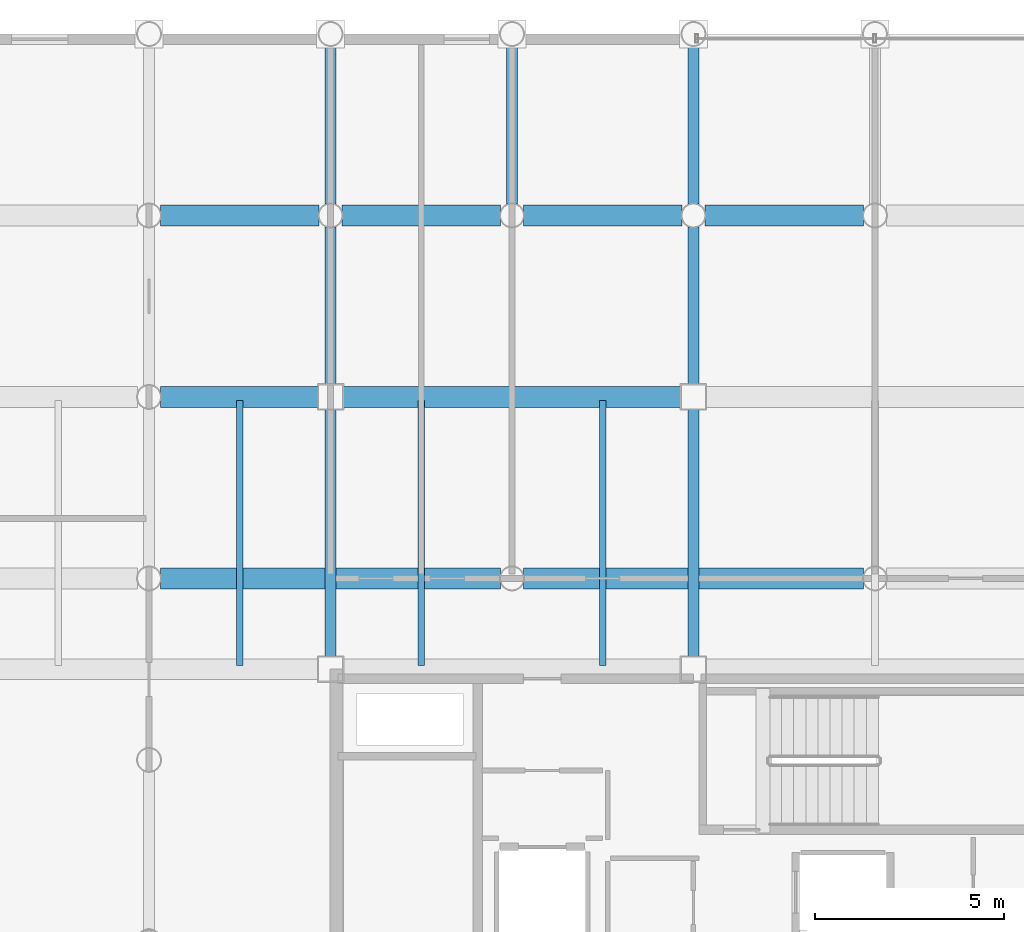
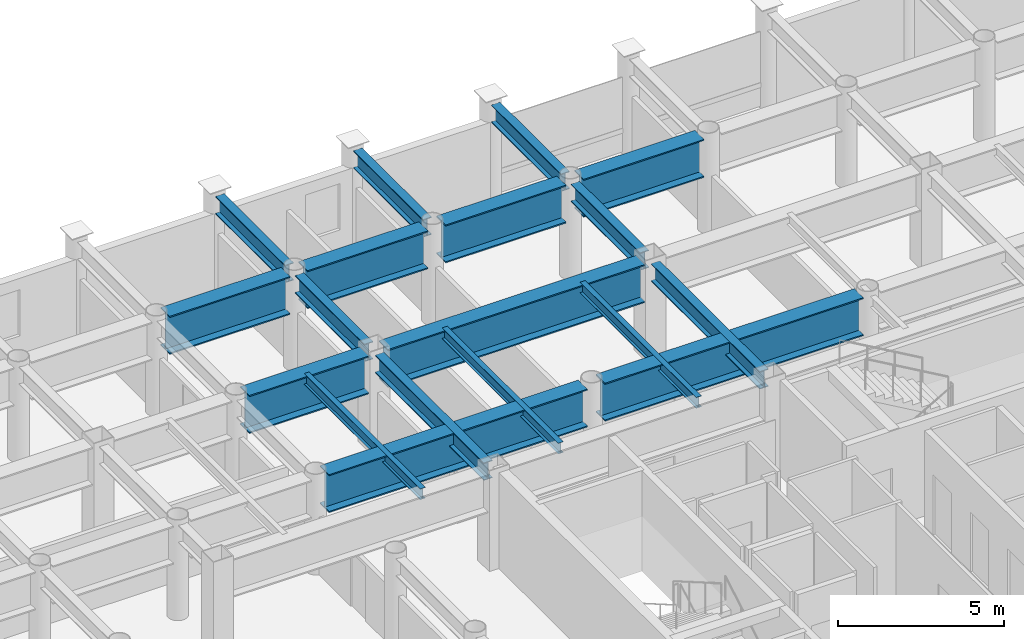
# One storey, part 13 of 24: 18 beams.
"""IFC4 building model written with IfcOpenShell, lengths in metres."""

from ifc_helpers import new_model, si_unit, direction, frame, origin, origin_2d, place, context, subcontext, project, spatial, i_section, extrude, material, material_profile, profile_set, type_object, element, save


model = new_model("IFC4")

# Units and contexts
model_context = context("Model", 3, precision=1e-05, world=origin(), true_north=direction((0.0, 1.0)))
body_context = subcontext(model_context, "Body", "Model", "MODEL_VIEW")
ifc_project = project(units=[si_unit("LENGTHUNIT", "METRE"), si_unit("AREAUNIT", "SQUARE_METRE"), si_unit("VOLUMEUNIT", "CUBIC_METRE"), si_unit("PLANEANGLEUNIT", "RADIAN"), si_unit("MASSUNIT", "GRAM", prefix="KILO")], contexts=[model_context])

# Site, building, storey
site_placement = place(None, origin())
site = spatial("IfcSite", under=ifc_project, at=site_placement, CompositionType="ELEMENT")
building_placement = place(site_placement, origin())
building = spatial("IfcBuilding", under=site, at=building_placement, Name="Kallvorn Hotel Tower", CompositionType="ELEMENT")
storey_placement = place(building_placement, frame((0.0, 0.0, 150.699951171875)))
storey = spatial("IfcBuildingStorey", under=building, at=storey_placement, Name="L37", CompositionType="ELEMENT", Elevation=150.699951171875)

# Beams
ifc_material_1 = material(Name="Structural steel S355JR", Category="steel")
ifc_material_profile_1 = material_profile(ifc_material_1, i_section(OverallWidth=0.300048828125, OverallDepth=0.64990234375, WebThickness=0.01611328125, FlangeThickness=0.031005859375, at=origin_2d()), Name="HE 650 B")
ifc_profile_set_1 = profile_set([ifc_material_profile_1], Name="Structural steel S355JR")
beam_type_1 = type_object("IfcBeamType", Name="BM_HE650B", PredefinedType="BEAM", material=ifc_profile_set_1)
beam_1_placement = place(storey_placement, frame((-14.39990234375, 7.52490234375, 3.195068359375), z_axis=(0.0, 1.0, 0.0), x_axis=(-1.0, 0.0, 0.0)))
element("IfcBeam", 1, at=beam_1_placement, inside=storey, type_object=beam_type_1, Name="L38 Primary Y-Girder 113", PredefinedType="BEAM", context=body_context, shape_type="SweptSolid", body=[
    extrude(i_section(OverallWidth=0.300048828125, OverallDepth=0.64990234375, WebThickness=0.01611328125, FlangeThickness=0.031005859375, at=origin_2d()), origin(), (0.0, 0.0, 1.0), 6.550048828125),
])
beam_2_placement = place(storey_placement, frame((-14.39990234375, 14.72509765625, 3.195068359375), z_axis=(0.0, 1.0, 0.0), x_axis=(-1.0, 0.0, 0.0)))
element("IfcBeam", 2, at=beam_2_placement, inside=storey, type_object=beam_type_1, Name="L38 Primary Y-Girder 114", PredefinedType="BEAM", context=body_context, shape_type="SweptSolid", body=[
    extrude(i_section(OverallWidth=0.300048828125, OverallDepth=0.64990234375, WebThickness=0.01611328125, FlangeThickness=0.031005859375, at=origin_2d()), origin(), (0.0, 0.0, 1.0), 4.169921875),
])
for number, where, z_axis, x_axis, name in (
    (3, (-14.39990234375, 19.5048828125, 3.195068359375), (0.0, 1.0, 0.0), (-1.0, 0.0, 0.0), "L38 Primary Y-Girder 115"),
    (4, (-9.60009765625, 19.5048828125, 3.195068359375), (0.0, 1.0, 0.0), (-1.0, 0.0, 0.0), "L38 Primary Y-Girder 118"),
):
    element("IfcBeam", number, at=place(storey_placement, frame(where, z_axis=z_axis, x_axis=x_axis)), inside=storey, type_object=beam_type_1, Name=name, PredefinedType="BEAM", context=body_context, shape_type="SweptSolid", body=[
        extrude(i_section(OverallWidth=0.300048828125, OverallDepth=0.64990234375, WebThickness=0.01611328125, FlangeThickness=0.031005859375, at=origin_2d()), origin(), (0.0, 0.0, 1.0), 4.190185546875),
    ])
beam_3_placement = place(storey_placement, frame((-4.800048828125, 7.52490234375, 3.195068359375), z_axis=(0.0, 1.0, 0.0), x_axis=(-1.0, 0.0, 0.0)))
element("IfcBeam", 5, at=beam_3_placement, inside=storey, type_object=beam_type_1, Name="L38 Primary Y-Girder 121", PredefinedType="BEAM", context=body_context, shape_type="SweptSolid", body=[
    extrude(i_section(OverallWidth=0.300048828125, OverallDepth=0.64990234375, WebThickness=0.01611328125, FlangeThickness=0.031005859375, at=origin_2d()), origin(), (0.0, 0.0, 1.0), 6.550048828125),
])
beam_4_placement = place(storey_placement, frame((-4.800048828125, 14.72509765625, 3.195068359375), z_axis=(0.0, 1.0, 0.0), x_axis=(-1.0, 0.0, 0.0)))
element("IfcBeam", 6, at=beam_4_placement, inside=storey, type_object=beam_type_1, Name="L38 Primary Y-Girder 122", PredefinedType="BEAM", context=body_context, shape_type="SweptSolid", body=[
    extrude(i_section(OverallWidth=0.300048828125, OverallDepth=0.64990234375, WebThickness=0.01611328125, FlangeThickness=0.031005859375, at=origin_2d()), origin(), (0.0, 0.0, 1.0), 4.169921875),
])
beam_5_placement = place(storey_placement, frame((-4.800048828125, 19.5048828125, 3.195068359375), z_axis=(0.0, 1.0, 0.0), x_axis=(-1.0, 0.0, 0.0)))
element("IfcBeam", 7, at=beam_5_placement, inside=storey, type_object=beam_type_1, Name="L38 Primary Y-Girder 123", PredefinedType="BEAM", context=body_context, shape_type="SweptSolid", body=[
    extrude(i_section(OverallWidth=0.300048828125, OverallDepth=0.64990234375, WebThickness=0.01611328125, FlangeThickness=0.031005859375, at=origin_2d()), origin(), (0.0, 0.0, 1.0), 4.190185546875),
])
ifc_material_2 = material(Name="Structural steel S355JR", Category="steel")
ifc_material_profile_2 = material_profile(ifc_material_2, i_section(OverallWidth=0.179931640625, OverallDepth=0.39990234375, WebThickness=0.008544921875, FlangeThickness=0.013427734375, at=origin_2d()), Name="IPE 400")
ifc_profile_set_2 = profile_set([ifc_material_profile_2], Name="Structural steel S355JR")
beam_type_2 = type_object("IfcBeamType", Name="BM_IPE400", PredefinedType="JOIST", material=ifc_profile_set_2)
for number, where, z_axis, x_axis, name in (
    (8, (-16.800048828125, 7.300048828125, 3.320068359375), (0.0, 1.0, 0.0), (-1.0, 0.0, 0.0), "L38 Secondary Composite Joist 208"),
    (9, (-12.0, 7.300048828125, 3.320068359375), (0.0, 1.0, 0.0), (-1.0, 0.0, 0.0), "L38 Secondary Composite Joist 210"),
    (10, (-7.199951171875, 7.300048828125, 3.320068359375), (0.0, 1.0, 0.0), (-1.0, 0.0, 0.0), "L38 Secondary Composite Joist 212"),
):
    element("IfcBeam", number, at=place(storey_placement, frame(where, z_axis=z_axis, x_axis=x_axis)), inside=storey, type_object=beam_type_2, Name=name, PredefinedType="JOIST", context=body_context, shape_type="SweptSolid", body=[
        extrude(i_section(OverallWidth=0.179931640625, OverallDepth=0.39990234375, WebThickness=0.008544921875, FlangeThickness=0.013427734375, at=origin_2d()), origin(), (0.0, 0.0, 1.0), 7.0),
    ])
ifc_material_3 = material(Name="Structural steel S355JR", Category="steel")
ifc_material_profile_3 = material_profile(ifc_material_3, i_section(OverallWidth=0.550048828125, OverallDepth=1.39990234375, WebThickness=0.02490234375, FlangeThickness=0.044921875, at=origin_2d()), Name="PG 1400x550x25x45")
ifc_profile_set_3 = profile_set([ifc_material_profile_3], Name="Structural steel S355JR")
beam_type_3 = type_object("IfcBeamType", Name="BM_PG_1400", PredefinedType="BEAM", material=ifc_profile_set_3)
for number, where, z_axis, x_axis, name in (
    (11, (-18.89501953125, 9.60009765625, 2.820068359375), (1.0, 0.0, 0.0), (0.0, 1.0, 0.0), "L38 Primary X-Girder 57"),
    (12, (-9.294921875, 9.60009765625, 2.820068359375), (1.0, 0.0, 0.0), (0.0, 1.0, 0.0), "L38 Primary X-Girder 58"),
):
    element("IfcBeam", number, at=place(storey_placement, frame(where, z_axis=z_axis, x_axis=x_axis)), inside=storey, type_object=beam_type_3, Name=name, PredefinedType="BEAM", context=body_context, shape_type="SweptSolid", body=[
        extrude(i_section(OverallWidth=0.550048828125, OverallDepth=1.39990234375, WebThickness=0.02490234375, FlangeThickness=0.044921875, at=origin_2d()), origin(), (0.0, 0.0, 1.0), 8.989990234375),
    ])
beam_6_placement = place(storey_placement, frame((-18.89501953125, 14.39990234375, 2.820068359375), z_axis=(1.0, 0.0, 0.0), x_axis=(0.0, 1.0, 0.0)))
element("IfcBeam", 13, at=beam_6_placement, inside=storey, type_object=beam_type_3, Name="L38 Primary X-Girder 66", PredefinedType="BEAM", context=body_context, shape_type="SweptSolid", body=[
    extrude(i_section(OverallWidth=0.550048828125, OverallDepth=1.39990234375, WebThickness=0.02490234375, FlangeThickness=0.044921875, at=origin_2d()), origin(), (0.0, 0.0, 1.0), 4.169921875),
])
beam_7_placement = place(storey_placement, frame((-14.074951171875, 14.39990234375, 2.820068359375), z_axis=(1.0, 0.0, 0.0), x_axis=(0.0, 1.0, 0.0)))
element("IfcBeam", 14, at=beam_7_placement, inside=storey, type_object=beam_type_3, Name="L38 Primary X-Girder 67", PredefinedType="BEAM", context=body_context, shape_type="SweptSolid", body=[
    extrude(i_section(OverallWidth=0.550048828125, OverallDepth=1.39990234375, WebThickness=0.02490234375, FlangeThickness=0.044921875, at=origin_2d()), origin(), (0.0, 0.0, 1.0), 8.949951171875),
])
for number, where, z_axis, x_axis, name in (
    (15, (-18.89501953125, 19.199951171875, 2.820068359375), (1.0, 0.0, 0.0), (0.0, 1.0, 0.0), "L38 Primary X-Girder 76"),
    (16, (-14.094970703125, 19.199951171875, 2.820068359375), (1.0, 0.0, 0.0), (0.0, 1.0, 0.0), "L38 Primary X-Girder 77"),
    (17, (-9.294921875, 19.199951171875, 2.820068359375), (1.0, 0.0, 0.0), (0.0, 1.0, 0.0), "L38 Primary X-Girder 78"),
):
    element("IfcBeam", number, at=place(storey_placement, frame(where, z_axis=z_axis, x_axis=x_axis)), inside=storey, type_object=beam_type_3, Name=name, PredefinedType="BEAM", context=body_context, shape_type="SweptSolid", body=[
        extrude(i_section(OverallWidth=0.550048828125, OverallDepth=1.39990234375, WebThickness=0.02490234375, FlangeThickness=0.044921875, at=origin_2d()), origin(), (0.0, 0.0, 1.0), 4.18994140625),
    ])
beam_8_placement = place(storey_placement, frame((-4.4951171875, 19.199951171875, 2.820068359375), z_axis=(1.0, 0.0, 0.0), x_axis=(0.0, 1.0, 0.0)))
element("IfcBeam", 18, at=beam_8_placement, inside=storey, type_object=beam_type_3, Name="L38 Primary X-Girder 79", PredefinedType="BEAM", context=body_context, shape_type="SweptSolid", body=[
    extrude(i_section(OverallWidth=0.550048828125, OverallDepth=1.39990234375, WebThickness=0.02490234375, FlangeThickness=0.044921875, at=origin_2d()), origin(), (0.0, 0.0, 1.0), 4.190185546875),
])

save(model, "model.ifc")
